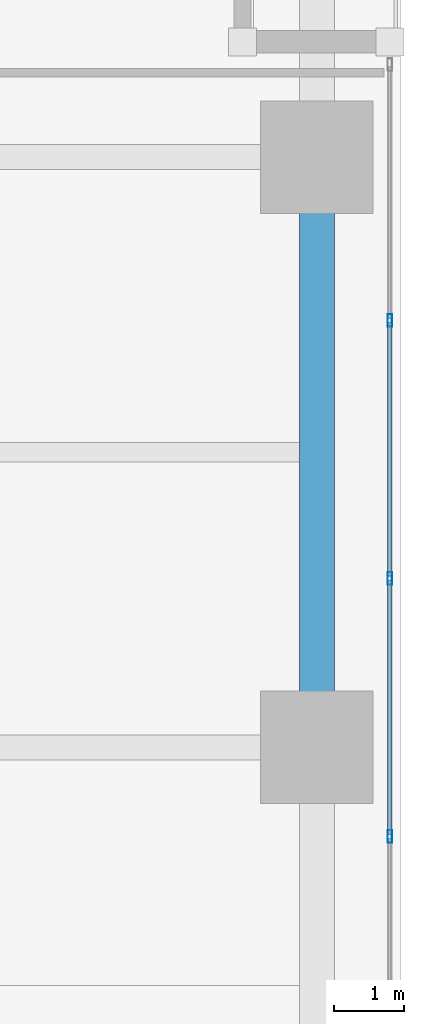
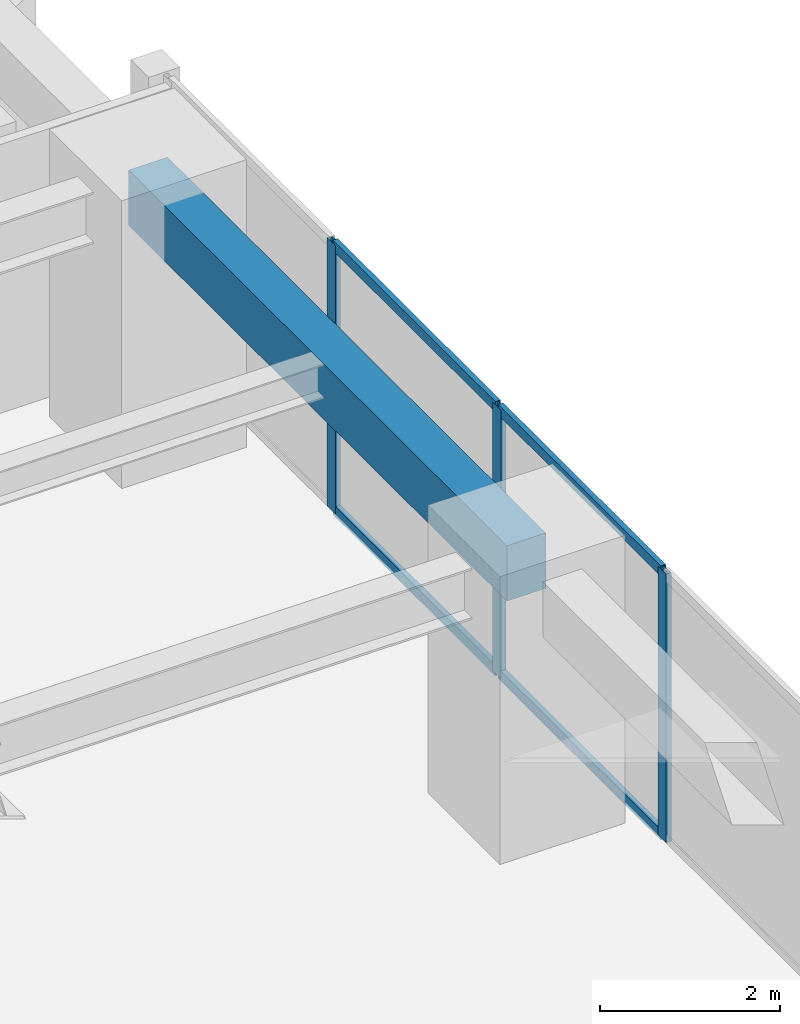
# One storey, part 8 of 28: 7 members, 1 beam, 1 element without a shape of its own.
"""IFC4 building model written with IfcOpenShell, lengths in metres."""

from ifc_helpers import new_model, si_unit, direction, frame, origin, origin_2d, place, context, subcontext, project, spatial, rectangle, hollow_rectangle, extrude, material, layer, layer_set, material_profile, profile_set, type_object, element, aggregate, save


model = new_model("IFC4")

# Units and contexts
model_context = context("Model", 3, precision=1e-05, world=origin(), true_north=direction((0.0, 1.0)))
body_context = subcontext(model_context, "Body", "Model", "MODEL_VIEW")
ifc_project = project(units=[si_unit("LENGTHUNIT", "METRE"), si_unit("AREAUNIT", "SQUARE_METRE"), si_unit("VOLUMEUNIT", "CUBIC_METRE"), si_unit("PLANEANGLEUNIT", "RADIAN"), si_unit("MASSUNIT", "GRAM", prefix="KILO")], contexts=[model_context])

# Site, building, storey
site_placement = place(None, origin())
site = spatial("IfcSite", under=ifc_project, at=site_placement, CompositionType="ELEMENT")
building_placement = place(site_placement, origin())
building = spatial("IfcBuilding", under=site, at=building_placement, Name="Kiyonajd Concourse Tower", CompositionType="ELEMENT")
storey_placement = place(building_placement, frame((0.0, 0.0, 64.5)))
storey = spatial("IfcBuildingStorey", under=building, at=storey_placement, Name="L17", CompositionType="ELEMENT", Elevation=64.5)

# Beam
ifc_material_1 = material(Name="Precast concrete C50/60", Category="concrete")
ifc_material_profile_1 = material_profile(ifc_material_1, rectangle(XDim=0.5, YDim=0.75, at=origin_2d()), Name="RCBM-500x750")
ifc_profile_set_1 = profile_set([ifc_material_profile_1], Name="Precast concrete C50/60")
beam_type = type_object("IfcBeamType", Name="BM-SPAN-RC", PredefinedType="SPANDREL", material=ifc_profile_set_1)
beam_placement = place(storey_placement, frame((78.0, 27.60009765625, 3.264892578125), z_axis=(0.0, 1.0, 0.0), x_axis=(-1.0, 0.0, 0.0)))
element("IfcBeam", 1, at=beam_placement, inside=storey, type_object=beam_type, Name="L17 Perimeter Bundled Tube Spandrel", PredefinedType="SPANDREL", context=body_context, shape_type="SweptSolid", body=[
    extrude(rectangle(XDim=0.5, YDim=0.75, at=origin_2d()), origin(), (0.0, 0.0, 1.0), 8.39990234375),
])

# Curtain wall, members
ifc_material_2 = material(Name="Thermally Broken Anodised Aluminium", Category="aluminium")
ifc_layer = layer(ifc_material_2, 0.179931640625)
ifc_layer_set = layer_set([ifc_layer], Name="Thermally Broken Anodised Aluminium")
curtain_wall_type = type_object("IfcCurtainWallType", Name="CW-SYS-02", PredefinedType="NOTDEFINED", material=ifc_layer_set)
curtain_wall_placement = place(storey_placement, origin())
curtain_wall = element("IfcCurtainWall", 2, at=curtain_wall_placement, inside=storey, type_object=curtain_wall_type, Name="L17 Unitised Curtain Wall CW2", PredefinedType="NOTDEFINED")
ifc_material_profile_2 = material_profile(ifc_material_2, hollow_rectangle(XDim=0.06494140625, YDim=0.179931640625, WallThickness=0.00390625, at=origin_2d()), Name="MULL-65x180")
ifc_profile_set_2 = profile_set([ifc_material_profile_2], Name="Thermally Broken Anodised Aluminium")
member_type_1 = type_object("IfcMemberType", Name="MB-CW-MULL1", PredefinedType="MULLION", material=ifc_profile_set_2)
member_1_placement = place(storey_placement, frame((79.0400390625, 33.6767578125, 0.0), z_axis=(0.0, 0.0, 1.0), x_axis=(1.0, 0.0, 0.0)))
member_1 = element("IfcMember", 3, at=member_1_placement, type_object=member_type_1, Name="CW2 mullion 2", PredefinedType="MULLION", context=body_context, shape_type="SweptSolid", body=[
    extrude(hollow_rectangle(XDim=0.06494140625, YDim=0.179931640625, WallThickness=0.00390625, at=origin_2d()), origin(), (0.0, 0.0, 1.0), 3.639892578125),
])
member_2_placement = place(storey_placement, frame((79.0400390625, 30.003662109375, 0.0), z_axis=(0.0, 0.0, 1.0), x_axis=(1.0, 0.0, 0.0)))
member_2 = element("IfcMember", 4, at=member_2_placement, type_object=member_type_1, Name="CW2 mullion 3", PredefinedType="MULLION", context=body_context, shape_type="SweptSolid", body=[
    extrude(hollow_rectangle(XDim=0.06494140625, YDim=0.179931640625, WallThickness=0.00390625, at=origin_2d()), origin(), (0.0, 0.0, 1.0), 3.639892578125),
])
member_3_placement = place(storey_placement, frame((79.0400390625, 26.33056640625, 0.0), z_axis=(0.0, 0.0, 1.0), x_axis=(1.0, 0.0, 0.0)))
member_3 = element("IfcMember", 5, at=member_3_placement, type_object=member_type_1, Name="CW2 mullion 4", PredefinedType="MULLION", context=body_context, shape_type="SweptSolid", body=[
    extrude(hollow_rectangle(XDim=0.06494140625, YDim=0.179931640625, WallThickness=0.00390625, at=origin_2d()), origin(), (0.0, 0.0, 1.0), 3.639892578125),
])
ifc_material_profile_3 = material_profile(ifc_material_2, hollow_rectangle(XDim=0.06494140625, YDim=0.139892578125, WallThickness=0.00390625, at=origin_2d()), Name="TRAN-65x140")
ifc_profile_set_3 = profile_set([ifc_material_profile_3], Name="Thermally Broken Anodised Aluminium")
member_type_2 = type_object("IfcMemberType", Name="MB-CW-TRAN1", PredefinedType="USERDEFINED", material=ifc_profile_set_3)
member_4_placement = place(storey_placement, frame((79.0400390625, 33.644287109375, 0.032470703125), z_axis=(0.0, -1.0, 0.0), x_axis=(1.0, 0.0, 0.0)))
member_4 = element("IfcMember", 6, at=member_4_placement, type_object=member_type_2, Name="CW2 transom 2.1", ObjectType="TRANSOM", PredefinedType="USERDEFINED", context=body_context, shape_type="SweptSolid", body=[
    extrude(hollow_rectangle(XDim=0.06494140625, YDim=0.139892578125, WallThickness=0.00390625, at=origin_2d()), origin(), (0.0, 0.0, 1.0), 3.608154296875),
])
member_5_placement = place(storey_placement, frame((79.0400390625, 33.644287109375, 3.607421875), z_axis=(0.0, -1.0, 0.0), x_axis=(1.0, 0.0, 0.0)))
member_5 = element("IfcMember", 7, at=member_5_placement, type_object=member_type_2, Name="CW2 transom 2.2", ObjectType="TRANSOM", PredefinedType="USERDEFINED", context=body_context, shape_type="SweptSolid", body=[
    extrude(hollow_rectangle(XDim=0.06494140625, YDim=0.139892578125, WallThickness=0.00390625, at=origin_2d()), origin(), (0.0, 0.0, 1.0), 3.608154296875),
])
member_6_placement = place(storey_placement, frame((79.0400390625, 29.97119140625, 0.032470703125), z_axis=(0.0, -1.0, 0.0), x_axis=(1.0, 0.0, 0.0)))
member_6 = element("IfcMember", 8, at=member_6_placement, type_object=member_type_2, Name="CW2 transom 3.1", ObjectType="TRANSOM", PredefinedType="USERDEFINED", context=body_context, shape_type="SweptSolid", body=[
    extrude(hollow_rectangle(XDim=0.06494140625, YDim=0.139892578125, WallThickness=0.00390625, at=origin_2d()), origin(), (0.0, 0.0, 1.0), 3.608154296875),
])
member_7_placement = place(storey_placement, frame((79.0400390625, 29.97119140625, 3.607421875), z_axis=(0.0, -1.0, 0.0), x_axis=(1.0, 0.0, 0.0)))
member_7 = element("IfcMember", 9, at=member_7_placement, type_object=member_type_2, Name="CW2 transom 3.2", ObjectType="TRANSOM", PredefinedType="USERDEFINED", context=body_context, shape_type="SweptSolid", body=[
    extrude(hollow_rectangle(XDim=0.06494140625, YDim=0.139892578125, WallThickness=0.00390625, at=origin_2d()), origin(), (0.0, 0.0, 1.0), 3.608154296875),
])
aggregate(curtain_wall, [member_1, member_2, member_3, member_4, member_5, member_6, member_7])

save(model, "model.ifc")
